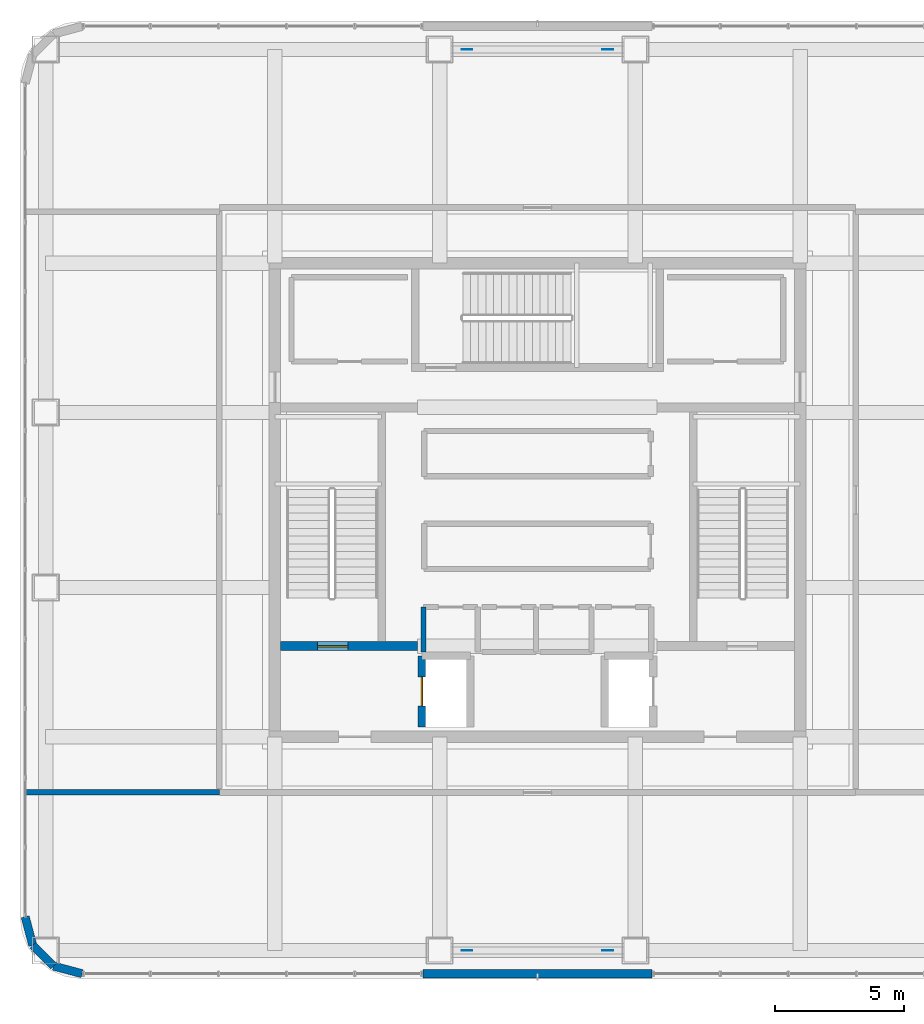
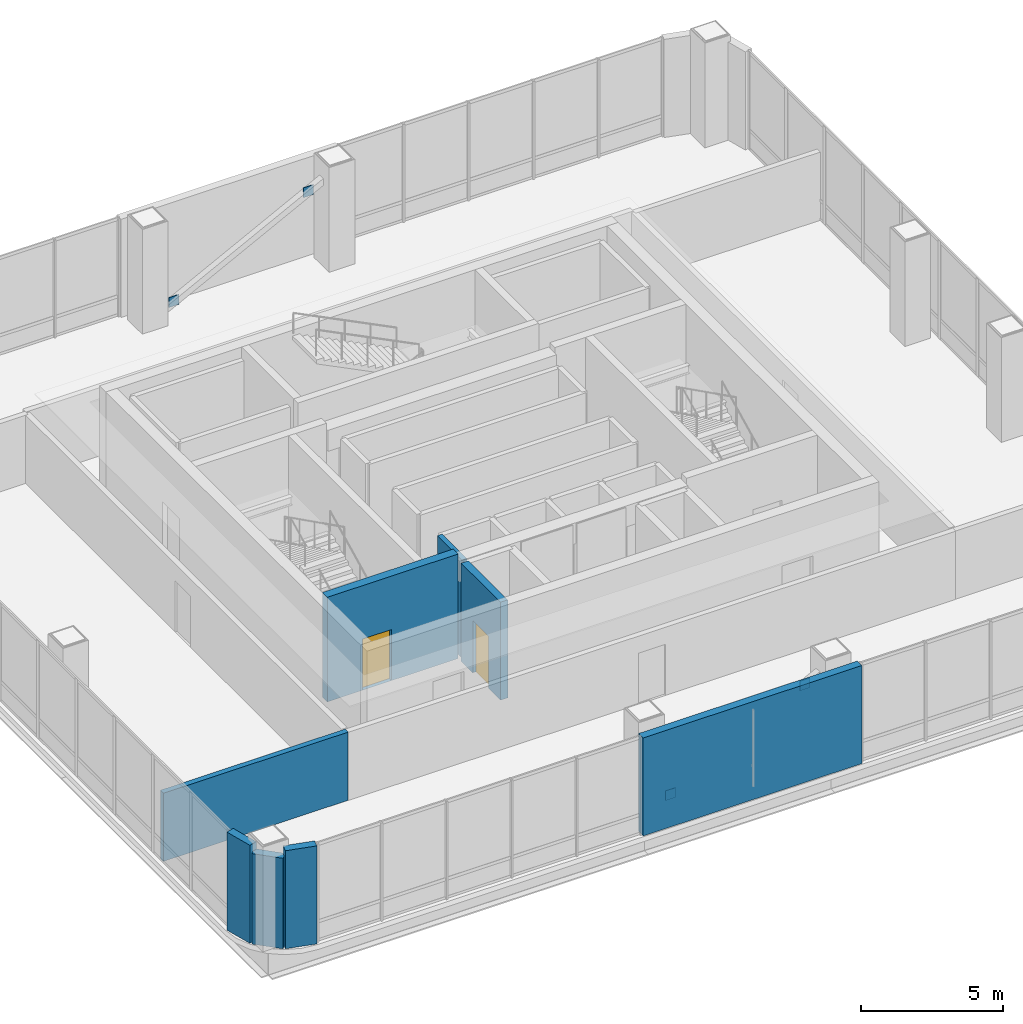
# One storey, part 27 of 33: 8 walls, 4 plates, 2 doors, 2 openings.
"""IFC4 building model written with IfcOpenShell, lengths in metres."""

from ifc_helpers import new_model, si_unit, direction, frame, frame_2d, origin, origin_2d, place, context, subcontext, project, spatial, rectangle, extrude, material, layer, layer_set, type_object, element, fill, save


model = new_model("IFC4")

# Units and contexts
model_context = context("Model", 3, precision=1e-05, world=origin(), true_north=direction((0.0, 1.0)))
body_context = subcontext(model_context, "Body", "Model", "MODEL_VIEW")
ifc_project = project(units=[si_unit("LENGTHUNIT", "METRE"), si_unit("AREAUNIT", "SQUARE_METRE"), si_unit("VOLUMEUNIT", "CUBIC_METRE"), si_unit("PLANEANGLEUNIT", "RADIAN"), si_unit("MASSUNIT", "GRAM", prefix="KILO")], contexts=[model_context])

# Site, building, storey
site_placement = place(None, origin())
site = spatial("IfcSite", under=ifc_project, at=site_placement, CompositionType="ELEMENT")
building_placement = place(site_placement, origin())
building = spatial("IfcBuilding", under=site, at=building_placement, Name="Punatoya Terracotta Tower", CompositionType="ELEMENT")
storey_placement = place(building_placement, frame((0.0, 0.0, 348.300048828125)))
storey = spatial("IfcBuildingStorey", under=building, at=storey_placement, Name="L82", CompositionType="ELEMENT", Elevation=348.300048828125)

# Plates
ifc_material_1 = material(Name="Steel S460", Category="steel")
ifc_layer_1 = layer(ifc_material_1, 0.031982421875)
ifc_layer_set_1 = layer_set([ifc_layer_1], Name="Steel S460")
plate_type = type_object("IfcPlateType", Name="PLT-END-32", PredefinedType="USERDEFINED", material=ifc_layer_set_1)
for number, where, z_axis, x_axis, name in (
    (1, (-2.736083984375, -17.5, 0.35595703125), (0.0, 0.0, 1.0), (1.0, 0.0, 0.0), "L82 Crown Brace S End Plate 1"),
    (2, (2.736083984375, -17.5, 3.1640625), (0.0, 0.0, 1.0), (1.0, 0.0, 0.0), "L82 Crown Brace S End Plate 2"),
    (3, (-2.736083984375, 17.5, 0.35595703125), (0.0, 0.0, 1.0), (1.0, 0.0, 0.0), "L82 Crown Brace N End Plate 1"),
    (4, (2.736083984375, 17.5, 3.1640625), (0.0, 0.0, 1.0), (1.0, 0.0, 0.0), "L82 Crown Brace N End Plate 2"),
):
    element("IfcPlate", number, at=place(storey_placement, frame(where, z_axis=z_axis, x_axis=x_axis)), inside=storey, type_object=plate_type, Name=name, ObjectType="FLANGE_PLATE", PredefinedType="USERDEFINED", context=body_context, shape_type="SweptSolid", body=[
        extrude(rectangle(XDim=0.419921875, YDim=0.031982421875, at=origin_2d()), origin(), (0.0, 0.0, 1.0), 0.419921875),
    ])

# Walls
ifc_material_2 = material(Name="Precast concrete C40/50", Category="concrete")
ifc_layer_2 = layer(ifc_material_2, 0.320068359375)
ifc_layer_set_2 = layer_set([ifc_layer_2], Name="Precast concrete C40/50")
wall_type_1 = type_object("IfcWallType", Name="WL-EXT-320", PredefinedType="SOLIDWALL", material=ifc_layer_set_2)
wall_1_placement = place(storey_placement, frame((-4.449951171875, -18.39990234375, 0.0), z_axis=(0.0, 0.0, 1.0), x_axis=(1.0, 0.0, 0.0)))
element("IfcWall", 5, at=wall_1_placement, inside=storey, type_object=wall_type_1, Name="L82 Terracotta Braced Facade Wall S1", PredefinedType="SOLIDWALL", context=body_context, shape_type="SweptSolid", body=[
    extrude(rectangle(XDim=8.89990234375, YDim=0.320068359375, at=frame_2d((4.449951171875, 0.0))), origin(), (0.0, 0.0, 1.0), 4.219970703125),
])
wall_2_placement = place(storey_placement, frame((-19.89990234375, -16.18701171875, 0.0), z_axis=(0.0, 0.0, 1.0), x_axis=(0.257332533551, -0.966322910406, 0.0)))
element("IfcWall", 6, at=wall_2_placement, inside=storey, type_object=wall_type_1, Name="L82 Rounded Terracotta Corner Pier 14", PredefinedType="SOLIDWALL", context=body_context, shape_type="SweptSolid", body=[
    extrude(rectangle(XDim=1.15087890625, YDim=0.320068359375, at=frame_2d((0.575439453125, 0.0))), origin(), (0.0, 0.0, 1.0), 4.219970703125),
])
wall_3_placement = place(storey_placement, frame((-19.603759765625, -17.299072265625, 0.0), z_axis=(0.0, 0.0, 1.0), x_axis=(0.707106781187, -0.707106781187, 0.0)))
element("IfcWall", 7, at=wall_3_placement, inside=storey, type_object=wall_type_1, Name="L82 Rounded Terracotta Corner Pier 15", PredefinedType="SOLIDWALL", context=body_context, shape_type="SweptSolid", body=[
    extrude(rectangle(XDim=1.137939453125, YDim=0.320068359375, at=frame_2d((0.56884765625, 0.0))), origin(), (0.0, 0.0, 1.0), 3.89404296875),
])
wall_4_placement = place(storey_placement, frame((-18.799072265625, -18.103759765625, 0.0), z_axis=(0.0, 0.0, 1.0), x_axis=(0.966322910406, -0.257332533551, 0.0)))
element("IfcWall", 8, at=wall_4_placement, inside=storey, type_object=wall_type_1, Name="L82 Rounded Terracotta Corner Pier 16", PredefinedType="SOLIDWALL", context=body_context, shape_type="SweptSolid", body=[
    extrude(rectangle(XDim=1.15087890625, YDim=0.320068359375, at=frame_2d((0.575439453125, 0.0))), origin(), (0.0, 0.0, 1.0), 4.219970703125),
])
ifc_material_3 = material(Name="Concrete C40/50", Category="concrete")
ifc_layer_3 = layer(ifc_material_3, 0.219970703125)
ifc_layer_set_3 = layer_set([ifc_layer_3], Name="Concrete C40/50")
wall_type_2 = type_object("IfcWallType", Name="WL-FIR-220", PredefinedType="SOLIDWALL", material=ifc_layer_set_3)
wall_5_placement = place(storey_placement, frame((-19.8798828125, -11.35009765625, 0.0), z_axis=(0.0, 0.0, 1.0), x_axis=(1.0, 0.0, 0.0)))
element("IfcWall", 9, at=wall_5_placement, inside=storey, type_object=wall_type_2, Name="L82 Crown South Heat-Rejection and Cooling-Tower Plant Partition 26", PredefinedType="SOLIDWALL", context=body_context, shape_type="SweptSolid", body=[
    extrude(rectangle(XDim=7.519775390625, YDim=0.219970703125, at=frame_2d((3.759765625, 0.0))), origin(), (0.0, 0.0, 1.0), 2.933837890625),
])
ifc_layer_4 = layer(ifc_material_3, 0.199951171875)
ifc_layer_set_4 = layer_set([ifc_layer_4], Name="Concrete C40/50")
wall_type_3 = type_object("IfcWallType", Name="WL-INT-200", PredefinedType="SOLIDWALL", material=ifc_layer_set_4)
wall_6_placement = place(storey_placement, frame((-4.419921875, -4.159912109375, 0.0), z_axis=(0.0, 0.0, 1.0), x_axis=(0.0, -1.0, 0.0)))
element("IfcWall", 10, at=wall_6_placement, inside=storey, type_object=wall_type_3, Name="L82 Staff Male Washroom Partition 03", PredefinedType="SOLIDWALL", context=body_context, shape_type="SweptSolid", body=[
    extrude(rectangle(XDim=1.739990234375, YDim=0.199951171875, at=frame_2d((0.8701171875, 0.0))), origin(), (0.0, 0.0, 1.0), 4.219970703125),
])

# Wall, opening, door
ifc_layer_5 = layer(ifc_material_3, 0.300048828125)
ifc_layer_set_5 = layer_set([ifc_layer_5], Name="Concrete C40/50")
wall_type_4 = type_object("IfcWallType", Name="WL-SHF-300", PredefinedType="SOLIDWALL", material=ifc_layer_set_5)
wall_7_placement = place(storey_placement, frame((-4.489990234375, -8.820068359375, 0.0), z_axis=(0.0, 0.0, 1.0), x_axis=(0.0, 1.0, 0.0)))
wall_7 = element("IfcWall", 11, at=wall_7_placement, inside=storey, type_object=wall_type_4, Name="L82 FFL-1 Front Hoistway Wall", PredefinedType="SOLIDWALL", context=body_context, shape_type="SweptSolid", body=[
    extrude(rectangle(XDim=2.77001953125, YDim=0.300048828125, at=frame_2d((1.385009765625, 0.0))), origin(), (0.0, 0.0, 1.0), 4.219970703125),
])
opening_1_placement = place(wall_7_placement, frame((0.824951171875, 0.0, 0.0)))
opening_1 = element("IfcOpeningElement", 12, at=opening_1_placement, cuts=wall_7, Name="Opening LD-02", PredefinedType="OPENING", context=body_context, shape_type="SweptSolid", body=[
    extrude(rectangle(XDim=1.1201171875, YDim=2.25, at=frame_2d((0.56005859375, 1.125))), frame((0.0, 0.159912109375, 0.0), z_axis=(0.0, -1.0, 0.0), x_axis=(1.0, 0.0, 0.0)), (0.0, 0.0, 1.0), 0.320068359375),
])
ifc_material_4 = material(Name="Stainless Steel Lift Landing Door", Category="steel")
door_type_1 = type_object("IfcDoorType", Name="DR-LND-1120", OperationType="NOTDEFINED", PredefinedType="DOOR", material=ifc_material_4)
door_1_placement = place(opening_1_placement, origin())
door_1 = element("IfcDoor", 13, at=door_1_placement, inside=storey, type_object=door_type_1, Name="L82 Firefighting Lift FFL-1 Sliding Landing Door", OperationType="SLIDING_TO_LEFT", OverallHeight=2.25, OverallWidth=1.1201171875, PredefinedType="DOOR", context=body_context, shape_type="SweptSolid", body=[
    extrude(rectangle(XDim=1.1201171875, YDim=2.25, at=frame_2d((0.56005859375, 1.125))), frame((0.0, 0.02490234375, 0.0), z_axis=(0.0, -1.0, 0.0), x_axis=(1.0, 0.0, 0.0)), (0.0, 0.0, 1.0), 0.050048828125),
])
fill(opening_1, door_1)

ifc_material_5 = material(Name="Concrete C50/60", Category="concrete")
ifc_layer_6 = layer(ifc_material_5, 0.35009765625)
ifc_layer_set_6 = layer_set([ifc_layer_6], Name="Concrete C50/60")
wall_type_5 = type_object("IfcWallType", Name="WL-SHF-350", PredefinedType="SOLIDWALL", material=ifc_layer_set_6)
wall_8_placement = place(storey_placement, frame((-9.97509765625, -5.679931640625, 0.0), z_axis=(0.0, 0.0, 1.0), x_axis=(1.0, 0.0, 0.0)))
wall_8 = element("IfcWall", 14, at=wall_8_placement, inside=storey, type_object=wall_type_5, Name="L82 Core Web Wall CSW-L", PredefinedType="SOLIDWALL", context=body_context, shape_type="SweptSolid", body=[
    extrude(rectangle(XDim=5.3251953125, YDim=0.35009765625, at=frame_2d((2.66259765625, 0.0))), origin(), (0.0, 0.0, 1.0), 4.5),
])
opening_2_placement = place(wall_8_placement, frame((1.43505859375, 0.0, 0.0)))
opening_2 = element("IfcOpeningElement", 15, at=opening_2_placement, cuts=wall_8, Name="Opening SD-01", PredefinedType="OPENING", context=body_context, shape_type="SweptSolid", body=[
    extrude(rectangle(XDim=1.179931640625, YDim=2.199951171875, at=frame_2d((0.58984375, 1.10009765625))), frame((0.0, 0.18505859375, 0.0), z_axis=(0.0, -1.0, 0.0), x_axis=(1.0, 0.0, 0.0)), (0.0, 0.0, 1.0), 0.3701171875),
])
ifc_material_6 = material(Name="Galvanised Steel Pressurized Stair Fire Door", Category="steel")
door_type_2 = type_object("IfcDoorType", Name="DR-STR-1180", OperationType="NOTDEFINED", PredefinedType="DOOR", material=ifc_material_6)
door_2_placement = place(opening_2_placement, origin())
door_2 = element("IfcDoor", 16, at=door_2_placement, inside=storey, type_object=door_type_2, Name="L82 Stair ST-1 Smokeproof Lobby Fire Door", OperationType="SINGLE_SWING_LEFT", OverallHeight=2.199951171875, OverallWidth=1.179931640625, PredefinedType="DOOR", context=body_context, shape_type="SweptSolid", body=[
    extrude(rectangle(XDim=1.179931640625, YDim=2.199951171875, at=frame_2d((0.58984375, 1.10009765625))), frame((0.0, 0.02490234375, 0.0), z_axis=(0.0, -1.0, 0.0), x_axis=(1.0, 0.0, 0.0)), (0.0, 0.0, 1.0), 0.050048828125),
])
fill(opening_2, door_2)

save(model, "model.ifc")
